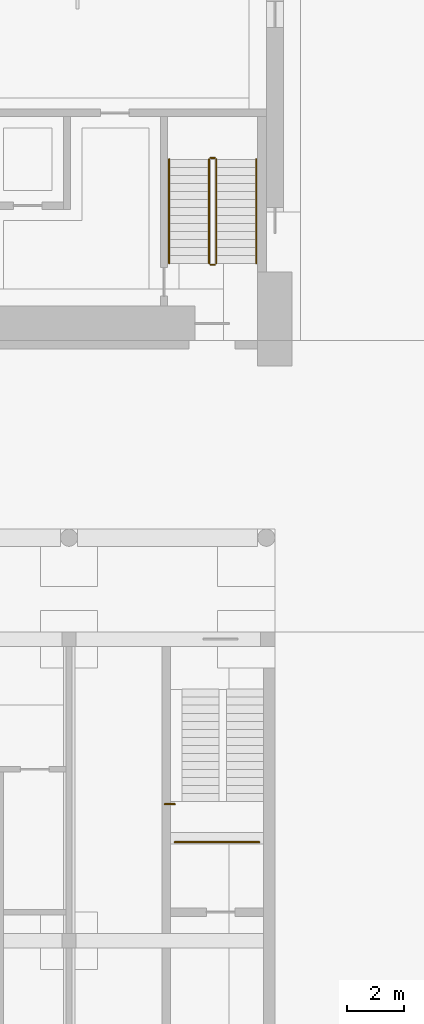
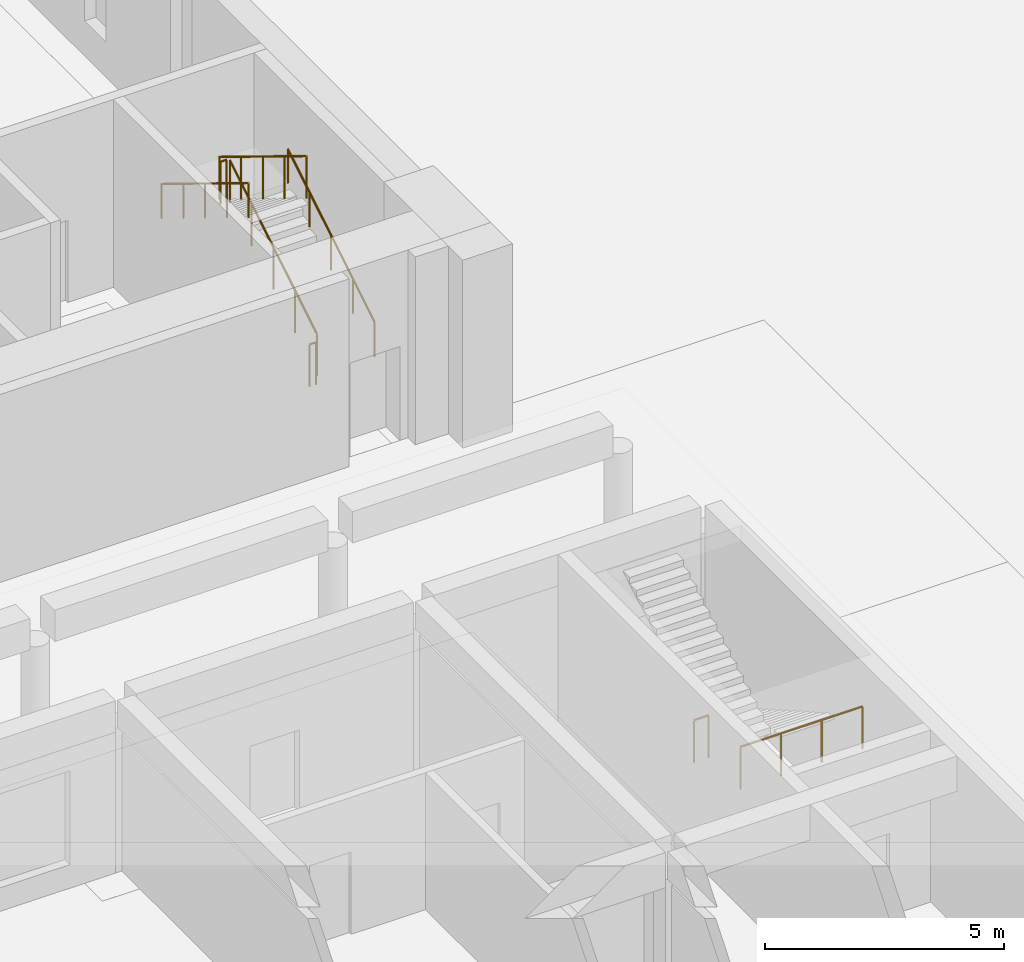
# One storey, part 66 of 73: 8 railings.
"""IFC4 building model written with IfcOpenShell, lengths in metres."""

import ifcopenshell
import ifcopenshell.guid

model = None  # the IFC model being written
_history = None  # IfcOwnerHistory: only IFC2X3 demands one
_inside = {}  # id of a spatial element -> (the spatial element, [elements in it])
_under = {}  # id of a project, library or spatial element -> (it, [spatial elements below it])
_declared = {}  # id of a project -> (the project, [libraries it declares])
_typed = {}  # id of a type object -> (the type object, [elements of that type])
_made_of = {}  # id of a material, layer set ... -> (it, [elements and type objects made of it])


def new_model(schema):
    """Start an empty IFC model of exactly this schema.

    Asked for "IFC4X3", IfcOpenShell would pick the latest addendum, in which some entities
    have other attributes; the version numbers below select the first issue.
    IFC2X3 requires an IfcOwnerHistory on every rooted entity: one is made here for all.
    """
    global model, _history
    if schema == "IFC4X3":
        model = ifcopenshell.file(schema_version=(4, 3, 0, 0))
    else:
        model = ifcopenshell.file(schema=schema)
    _inside.clear()
    _under.clear()
    _declared.clear()
    _typed.clear()
    _made_of.clear()
    _history = None
    if model.schema == "IFC2X3":
        org = make("IfcOrganization", Name="unknown")
        user = make(
            "IfcPersonAndOrganization",
            ThePerson=make("IfcPerson", FamilyName="unknown"),
            TheOrganization=org,
        )
        app = make(
            "IfcApplication",
            ApplicationDeveloper=org,
            Version="unknown",
            ApplicationFullName="unknown",
            ApplicationIdentifier="unknown",
        )
        _history = make(
            "IfcOwnerHistory",
            OwningUser=user,
            OwningApplication=app,
            ChangeAction="ADDED",
            CreationDate=0,
        )
    return model


def make(cls, **values):
    """One entity of the class cls with the attributes given. An attribute that is None is left unset."""
    return model.create_entity(
        cls, **{name: value for name, value in values.items() if value is not None}
    )


def rooted(cls, **values):
    """An entity with a GlobalId (a new one), such as an element, a storey or a relation."""
    return make(cls, GlobalId=ifcopenshell.guid.new(), OwnerHistory=_history, **values)


def si_unit(unit_type, name, prefix=None):
    """IfcSIUnit, for example si_unit("LENGTHUNIT", "METRE", prefix="MILLI")."""
    return make("IfcSIUnit", UnitType=unit_type, Prefix=prefix, Name=name)


def assignment(units):
    """IfcUnitAssignment: the units of a project."""
    return None if units is None else make("IfcUnitAssignment", Units=units)


def point(xyz):
    """IfcCartesianPoint."""
    return None if xyz is None else make("IfcCartesianPoint", Coordinates=xyz)


def direction(xyz):
    """IfcDirection."""
    return None if xyz is None else make("IfcDirection", DirectionRatios=xyz)


def frame(location, z_axis=None, x_axis=None):
    """IfcAxis2Placement3D, a coordinate frame: its origin and axes. An axis left out is left unset."""
    return make(
        "IfcAxis2Placement3D",
        Location=point(location),
        Axis=direction(z_axis),
        RefDirection=direction(x_axis),
    )


def frame_2d(location, x_axis=None):
    """IfcAxis2Placement2D, a coordinate frame in the plane: its origin and x axis."""
    return make(
        "IfcAxis2Placement2D", Location=point(location), RefDirection=direction(x_axis)
    )


def origin():
    """The frame at (0, 0, 0) with its axes left unset."""
    return frame((0.0, 0.0, 0.0))


def origin_2d():
    """The frame at (0, 0) in the plane with its x axis left unset."""
    return frame_2d((0.0, 0.0))


def place(relative_to, where):
    """IfcLocalPlacement: puts the frame where relative to a parent placement (None: the world)."""
    return make(
        "IfcLocalPlacement", PlacementRelTo=relative_to, RelativePlacement=where
    )


def context(
    kind, dimensions, precision=None, world=None, true_north=None, identifier=None
):
    """IfcGeometricRepresentationContext, for example the 3D "Model" context."""
    return make(
        "IfcGeometricRepresentationContext",
        ContextIdentifier=identifier,
        ContextType=kind,
        CoordinateSpaceDimension=dimensions,
        Precision=precision,
        WorldCoordinateSystem=world,
        TrueNorth=true_north,
    )


def subcontext(parent, identifier, kind, view, scale=None):
    """IfcGeometricRepresentationSubContext, for example "Body" below "Model"."""
    return make(
        "IfcGeometricRepresentationSubContext",
        ContextIdentifier=identifier,
        ContextType=kind,
        ParentContext=parent,
        TargetScale=scale,
        TargetView=view,
    )


def project(units=None, contexts=None):
    """IfcProject with its units and contexts."""
    return rooted(
        "IfcProject",
        Name="project",
        RepresentationContexts=contexts,
        UnitsInContext=assignment(units),
    )


def spatial(cls, under=None, at=None, **own):
    """A site, building, storey or space (cls), placed at a placement, below another one or the project."""
    s = rooted(cls, ObjectPlacement=at, **own)
    if under is not None:
        _under.setdefault(under.id(), (under, []))[1].append(s)
    return s


def profile(cls, at=None, kind="AREA", **sizes):
    """A parametric profile (cls). Its sizes go by their IFC names, for example OverallWidth=200.0."""
    return make(cls, ProfileType=kind, Position=at, **sizes)


def circle(**sizes):
    """IfcCircleProfileDef."""
    return profile("IfcCircleProfileDef", **sizes)


def extrude(swept, where, along, depth):
    """IfcExtrudedAreaSolid: the profile swept, set in the frame where, extruded along a direction by depth."""
    return make(
        "IfcExtrudedAreaSolid",
        SweptArea=swept,
        Position=where,
        ExtrudedDirection=direction(along),
        Depth=depth,
    )


def shape(context_of_items, identifier, shape_type, items):
    """IfcShapeRepresentation: the items that make up one representation, for example the "Body"."""
    return make(
        "IfcShapeRepresentation",
        ContextOfItems=context_of_items,
        RepresentationIdentifier=identifier,
        RepresentationType=shape_type,
        Items=items,
    )


def material(Name=None, Category=None):
    """IfcMaterial."""
    return make("IfcMaterial", Name=Name, Category=Category)


def made_of(thing, what):
    """Note that an element or type object is made of a material, layer set ...; save() writes the relation."""
    if what is not None:
        _made_of.setdefault(what.id(), (what, []))[1].append(thing)
    return thing


def type_object(cls, material=None, **own):
    """A type object (cls), such as IfcWallType, which elements share."""
    return made_of(rooted(cls, **own), material)


def element(
    cls,
    number,
    at=None,
    inside=None,
    cuts=None,
    type_object=None,
    material=None,
    context=None,
    identifier="Body",
    shape_type=None,
    held_by="IfcProductDefinitionShape",
    body=None,
    shapes=None,
    **own,
):
    """One element of the class cls, such as IfcWall. Its Tag is "e" and its number.

    at: its placement. inside: the storey or other place that contains it. cuts: it is an
    opening in that element (IfcRelVoidsElement). A single representation is given by context,
    identifier, shape_type and body (its items); several are given by shapes. held_by: the class
    of the entity that holds the representations. save() writes the other relations.
    """
    e = rooted(cls, Tag="e%d" % number, ObjectPlacement=at, **own)
    if body is not None:
        shapes = [shape(context, identifier, shape_type, body)]
    if shapes is not None:
        e.Representation = make(held_by, Representations=shapes)
    if inside is not None:
        _inside.setdefault(inside.id(), (inside, []))[1].append(e)
    if cuts is not None:
        rooted(
            "IfcRelVoidsElement", RelatingBuildingElement=cuts, RelatedOpeningElement=e
        )
    if type_object is not None:
        _typed.setdefault(type_object.id(), (type_object, []))[1].append(e)
    return made_of(e, material)


def aggregate(whole, parts):
    """IfcRelAggregates: a whole, such as a stair, and the parts it consists of."""
    return rooted("IfcRelAggregates", RelatingObject=whole, RelatedObjects=parts)


def save(model, path):
    """Write the relations noted so far, then the file.

    IfcRelAggregates (storeys below a building ...), IfcRelContainedInSpatialStructure (elements
    in a storey), IfcRelDefinesByType, IfcRelAssociatesMaterial and IfcRelDeclares: one each for
    every whole, place, type object, material and project.
    """
    for whole, parts in _under.values():
        aggregate(whole, parts)
    for where, things in _inside.values():
        rooted(
            "IfcRelContainedInSpatialStructure",
            RelatedElements=things,
            RelatingStructure=where,
        )
    for kind, things in _typed.values():
        rooted("IfcRelDefinesByType", RelatedObjects=things, RelatingType=kind)
    for what, things in _made_of.values():
        rooted("IfcRelAssociatesMaterial", RelatedObjects=things, RelatingMaterial=what)
    for by, libraries in _declared.values():
        rooted("IfcRelDeclares", RelatingContext=by, RelatedDefinitions=libraries)
    model.write(path)


model = new_model("IFC4")

# Units and contexts
model_context = context("Model", 3, precision=1e-05, world=origin(), true_north=direction((0.0, 1.0)))
body_context = subcontext(model_context, "Body", "Model", "MODEL_VIEW")
ifc_project = project(units=[si_unit("LENGTHUNIT", "METRE"), si_unit("AREAUNIT", "SQUARE_METRE"), si_unit("VOLUMEUNIT", "CUBIC_METRE"), si_unit("PLANEANGLEUNIT", "RADIAN"), si_unit("MASSUNIT", "GRAM", prefix="KILO")], contexts=[model_context])

# Site, building, storey
site_placement = place(None, origin())
site = spatial("IfcSite", under=ifc_project, at=site_placement, CompositionType="ELEMENT")
building_placement = place(site_placement, origin())
building = spatial("IfcBuilding", under=site, at=building_placement, Name="Alderwick Market Hall", CompositionType="ELEMENT")
storey_placement = place(building_placement, origin())
storey = spatial("IfcBuildingStorey", under=building, at=storey_placement, Name="LG", CompositionType="ELEMENT", Elevation=0.0)

# Railings
ifc_material_1 = material(Name="Steel ASTM A500 Grade C", Category="steel")
railing_type_1 = type_object("IfcRailingType", Name="A Roof Guard 1100", PredefinedType="GUARDRAIL", material=ifc_material_1)
railing_1_placement = place(storey_placement, frame((150.64990234375, 32.25, 2.39990234375)))
element("IfcRailing", 1, at=railing_1_placement, inside=storey, type_object=railing_type_1, Name="Stair guard", PredefinedType="GUARDRAIL", context=body_context, shape_type="SweptSolid", body=[
    extrude(circle(Radius=0.02392578125, at=origin_2d()), frame((0.0, 0.0, 1.076171875), z_axis=(-1.0, 0.0, 0.0), x_axis=(0.0, -1.0, 0.0)), (0.0, 0.0, 1.0), 2.949951171875),
    extrude(circle(Radius=0.02099609375, at=origin_2d()), origin(), (0.0, 0.0, 1.0), 1.052001953125),
    extrude(circle(Radius=0.02099609375, at=origin_2d()), frame((-0.9833984375, 0.0, 0.0)), (0.0, 0.0, 1.0), 1.052001953125),
    extrude(circle(Radius=0.02099609375, at=origin_2d()), frame((-1.966552734375, 0.0, 0.0)), (0.0, 0.0, 1.0), 1.052001953125),
    extrude(circle(Radius=0.02099609375, at=origin_2d()), frame((-2.949951171875, 0.0, 0.0)), (0.0, 0.0, 1.0), 1.052001953125),
])
railing_2_placement = place(storey_placement, frame((147.35009765625, 33.580078125, 2.39990234375)))
element("IfcRailing", 2, at=railing_2_placement, inside=storey, type_object=railing_type_1, Name="Stair guard", PredefinedType="GUARDRAIL", context=body_context, shape_type="SweptSolid", body=[
    extrude(circle(Radius=0.02392578125, at=origin_2d()), frame((0.0, 0.0, 1.076171875), z_axis=(1.0, 0.0, 0.0), x_axis=(0.0, 1.0, 0.0)), (0.0, 0.0, 1.0), 0.349853515625),
    extrude(circle(Radius=0.02099609375, at=origin_2d()), origin(), (0.0, 0.0, 1.0), 1.052001953125),
    extrude(circle(Radius=0.02099609375, at=origin_2d()), frame((0.349853515625, 0.0, 0.0)), (0.0, 0.0, 1.0), 1.052001953125),
])
ifc_material_2 = material(Name="Steel, painted", Category="steel")
railing_type_2 = type_object("IfcRailingType", Name="H Guard 1100", PredefinedType="GUARDRAIL", material=ifc_material_2)
railing_3_placement = place(storey_placement, frame((149.14990234375, 52.5, 0.17138671875)))
element("IfcRailing", 3, at=railing_3_placement, inside=storey, type_object=railing_type_2, Name="LG H-SE stair guard 1", PredefinedType="GUARDRAIL", context=body_context, shape_type="SweptSolid", body=[
    extrude(circle(Radius=0.02392578125, at=origin_2d()), frame((0.0, 0.0, 1.076171875), z_axis=(0.0, 0.852850264322, 0.5221555579), x_axis=(-1.0, 0.0, 0.0)), (0.0, 0.0, 1.0), 4.267822265625),
    extrude(circle(Radius=0.02099609375, at=origin_2d()), origin(), (0.0, 0.0, 1.0), 1.052001953125),
    extrude(circle(Radius=0.02099609375, at=origin_2d()), frame((0.0, 0.909912109375, 0.55712890625)), (0.0, 0.0, 1.0), 1.052001953125),
    extrude(circle(Radius=0.02099609375, at=origin_2d()), frame((0.0, 1.81982421875, 1.1142578125)), (0.0, 0.0, 1.0), 1.052001953125),
    extrude(circle(Radius=0.02099609375, at=origin_2d()), frame((0.0, 2.72998046875, 1.67138671875)), (0.0, 0.0, 1.0), 1.052001953125),
    extrude(circle(Radius=0.02099609375, at=origin_2d()), frame((0.0, 3.639892578125, 2.228515625)), (0.0, 0.0, 1.0), 1.052001953125),
])
railing_4_placement = place(storey_placement, frame((149.10009765625, 56.18994140625, 2.39990234375)))
element("IfcRailing", 4, at=railing_4_placement, inside=storey, type_object=railing_type_2, Name="LG H-SE stair guard 2", PredefinedType="GUARDRAIL", context=body_context, shape_type="SweptSolid", body=[
    extrude(circle(Radius=0.02392578125, at=origin_2d()), frame((0.0, 0.0, 1.076171875), z_axis=(-1.0, 0.0, 0.0), x_axis=(0.0, -1.0, 0.0)), (0.0, 0.0, 1.0), 0.150146484375),
    extrude(circle(Radius=0.02099609375, at=origin_2d()), origin(), (0.0, 0.0, 1.0), 1.052001953125),
    extrude(circle(Radius=0.02099609375, at=origin_2d()), frame((-0.150146484375, 0.0, 0.0)), (0.0, 0.0, 1.0), 1.052001953125),
])
railing_5_placement = place(storey_placement, frame((148.89990234375, 56.139892578125, 2.571533203125)))
element("IfcRailing", 5, at=railing_5_placement, inside=storey, type_object=railing_type_2, Name="LG H-SE stair guard 3", PredefinedType="GUARDRAIL", context=body_context, shape_type="SweptSolid", body=[
    extrude(circle(Radius=0.02392578125, at=origin_2d()), frame((0.0, 0.0, 1.076171875), z_axis=(0.0, -0.852850264322, 0.5221555579), x_axis=(1.0, 0.0, 0.0)), (0.0, 0.0, 1.0), 4.267822265625),
    extrude(circle(Radius=0.02099609375, at=origin_2d()), origin(), (0.0, 0.0, 1.0), 1.052001953125),
    extrude(circle(Radius=0.02099609375, at=origin_2d()), frame((0.0, -0.909912109375, 0.55712890625)), (0.0, 0.0, 1.0), 1.052001953125),
    extrude(circle(Radius=0.02099609375, at=origin_2d()), frame((0.0, -1.81982421875, 1.1142578125)), (0.0, 0.0, 1.0), 1.052001953125),
    extrude(circle(Radius=0.02099609375, at=origin_2d()), frame((0.0, -2.72998046875, 1.67138671875)), (0.0, 0.0, 1.0), 1.052001953125),
    extrude(circle(Radius=0.02099609375, at=origin_2d()), frame((0.0, -3.639892578125, 2.228515625)), (0.0, 0.0, 1.0), 1.052001953125),
])
railing_6_placement = place(storey_placement, frame((149.10009765625, 52.449951171875, 0.0)))
element("IfcRailing", 6, at=railing_6_placement, inside=storey, type_object=railing_type_2, Name="LG H-SE stair guard 4", PredefinedType="GUARDRAIL", context=body_context, shape_type="SweptSolid", body=[
    extrude(circle(Radius=0.02392578125, at=origin_2d()), frame((0.0, 0.0, 1.076171875), z_axis=(-1.0, 0.0, 0.0), x_axis=(0.0, -1.0, 0.0)), (0.0, 0.0, 1.0), 0.150146484375),
    extrude(circle(Radius=0.02099609375, at=origin_2d()), origin(), (0.0, 0.0, 1.0), 1.052001953125),
    extrude(circle(Radius=0.02099609375, at=origin_2d()), frame((-0.150146484375, 0.0, 0.0)), (0.0, 0.0, 1.0), 1.052001953125),
])
railing_type_3 = type_object("IfcRailingType", Name="H Handrail 900", PredefinedType="HANDRAIL", material=ifc_material_2)
railing_7_placement = place(storey_placement, frame((150.550048828125, 52.5, 0.17138671875)))
element("IfcRailing", 7, at=railing_7_placement, inside=storey, type_object=railing_type_3, Name="LG H-SE stair handrail 1", PredefinedType="HANDRAIL", context=body_context, shape_type="SweptSolid", body=[
    extrude(circle(Radius=0.02392578125, at=origin_2d()), frame((0.0, 0.0, 0.8759765625), z_axis=(0.0, 0.852850264322, 0.5221555579), x_axis=(-1.0, 0.0, 0.0)), (0.0, 0.0, 1.0), 4.267822265625),
    extrude(circle(Radius=0.02099609375, at=origin_2d()), origin(), (0.0, 0.0, 1.0), 0.851806640625),
    extrude(circle(Radius=0.02099609375, at=origin_2d()), frame((0.0, 0.909912109375, 0.55712890625)), (0.0, 0.0, 1.0), 0.851806640625),
    extrude(circle(Radius=0.02099609375, at=origin_2d()), frame((0.0, 1.81982421875, 1.1142578125)), (0.0, 0.0, 1.0), 0.851806640625),
    extrude(circle(Radius=0.02099609375, at=origin_2d()), frame((0.0, 2.72998046875, 1.67138671875)), (0.0, 0.0, 1.0), 0.851806640625),
    extrude(circle(Radius=0.02099609375, at=origin_2d()), frame((0.0, 3.639892578125, 2.228515625)), (0.0, 0.0, 1.0), 0.851806640625),
])
railing_8_placement = place(storey_placement, frame((147.5, 56.139892578125, 2.571533203125)))
element("IfcRailing", 8, at=railing_8_placement, inside=storey, type_object=railing_type_3, Name="LG H-SE stair handrail 2", PredefinedType="HANDRAIL", context=body_context, shape_type="SweptSolid", body=[
    extrude(circle(Radius=0.02392578125, at=origin_2d()), frame((0.0, 0.0, 0.8759765625), z_axis=(0.0, -0.852850264322, 0.5221555579), x_axis=(1.0, 0.0, 0.0)), (0.0, 0.0, 1.0), 4.267822265625),
    extrude(circle(Radius=0.02099609375, at=origin_2d()), origin(), (0.0, 0.0, 1.0), 0.851806640625),
    extrude(circle(Radius=0.02099609375, at=origin_2d()), frame((0.0, -0.909912109375, 0.55712890625)), (0.0, 0.0, 1.0), 0.851806640625),
    extrude(circle(Radius=0.02099609375, at=origin_2d()), frame((0.0, -1.81982421875, 1.1142578125)), (0.0, 0.0, 1.0), 0.851806640625),
    extrude(circle(Radius=0.02099609375, at=origin_2d()), frame((0.0, -2.72998046875, 1.67138671875)), (0.0, 0.0, 1.0), 0.851806640625),
    extrude(circle(Radius=0.02099609375, at=origin_2d()), frame((0.0, -3.639892578125, 2.228515625)), (0.0, 0.0, 1.0), 0.851806640625),
])

save(model, "model.ifc")
